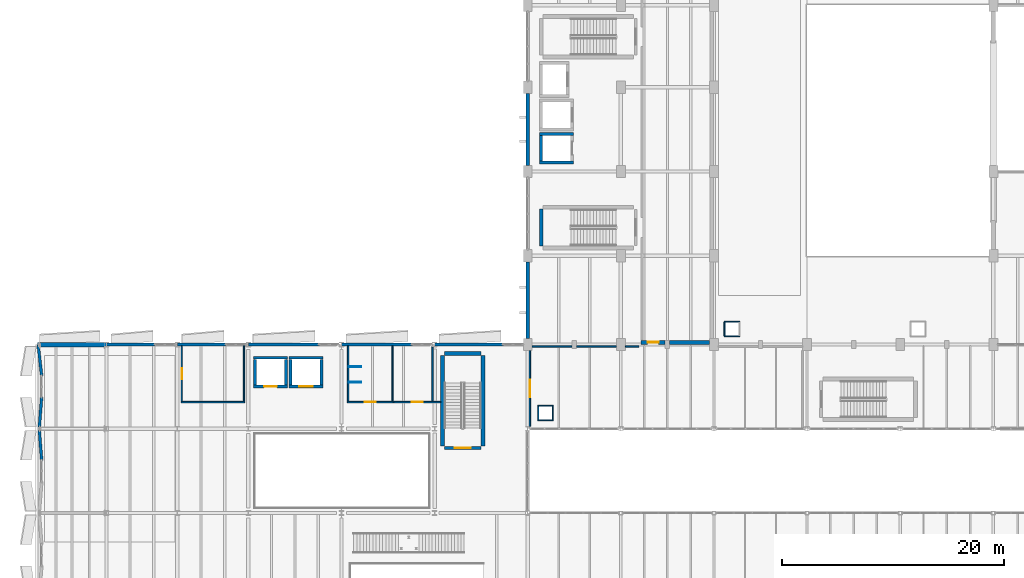
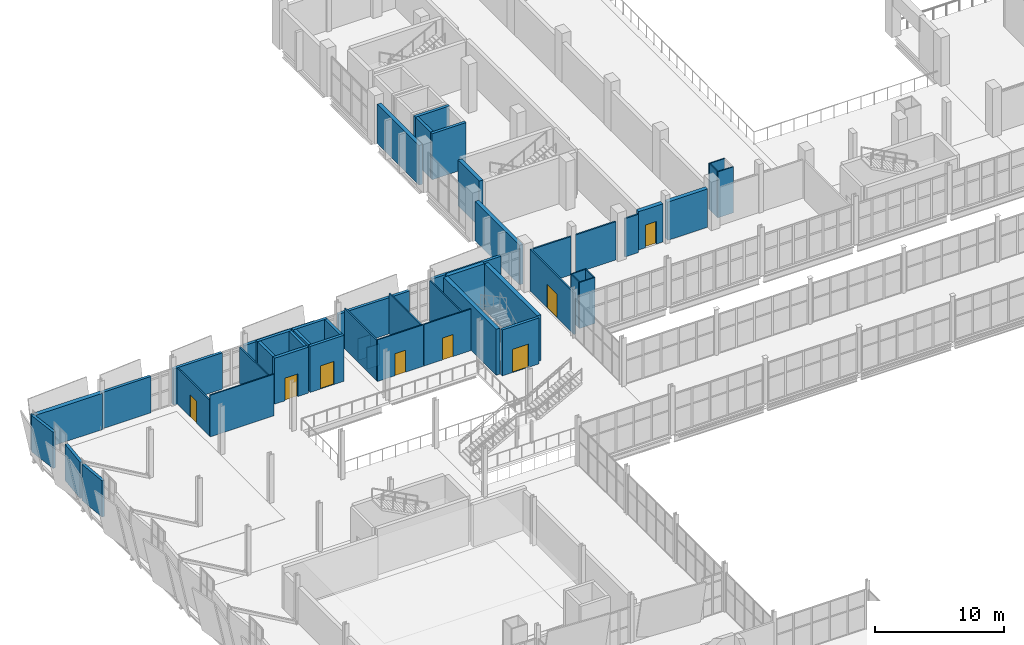
# One storey, part 153 of 172: 50 walls, 8 doors, 8 openings.
"""IFC4 building model written with IfcOpenShell, lengths in metres."""

from ifc_helpers import new_model, si_unit, direction, frame, frame_2d, origin, place, context, subcontext, project, spatial, rectangle, extrude, material, layer, layer_set, type_object, element, fill, save


model = new_model("IFC4")

# Units and contexts
model_context = context("Model", 3, precision=1e-05, world=origin(), true_north=direction((0.0, 1.0)))
body_context = subcontext(model_context, "Body", "Model", "MODEL_VIEW")
ifc_project = project(units=[si_unit("LENGTHUNIT", "METRE"), si_unit("AREAUNIT", "SQUARE_METRE"), si_unit("VOLUMEUNIT", "CUBIC_METRE"), si_unit("PLANEANGLEUNIT", "RADIAN"), si_unit("MASSUNIT", "GRAM", prefix="KILO")], contexts=[model_context])

# Site, building, storey
site_placement = place(None, origin())
site = spatial("IfcSite", under=ifc_project, at=site_placement, CompositionType="ELEMENT")
building_placement = place(site_placement, origin())
building = spatial("IfcBuilding", under=site, at=building_placement, Name="Shengluoqiao Park Theatre", CompositionType="ELEMENT")
storey_placement = place(building_placement, frame((0.0, 0.0, 5.39990234375)))
storey = spatial("IfcBuildingStorey", under=building, at=storey_placement, Name="L01", CompositionType="ELEMENT", Elevation=5.39990234375)

# Walls
ifc_material_1 = material(Name="Concrete C45", Category="concrete")
ifc_layer_1 = layer(ifc_material_1, 0.330078125, Name="Concrete C45")
ifc_layer_set_1 = layer_set([ifc_layer_1], Name="Concrete C45")
wall_type_1 = type_object("IfcWallType", Name="ENV-WL-CONC330", PredefinedType="STANDARD", material=ifc_layer_set_1)
wall_1_placement = place(storey_placement, frame((44.39990234375, 76.553955078125, 0.0), z_axis=(0.0, 0.0, 1.0), x_axis=(0.0, 1.0, 0.0)))
element("IfcWall", 1, at=wall_1_placement, inside=storey, type_object=wall_type_1, Name="L01 Exterior Wall 0024", PredefinedType="STANDARD", context=body_context, shape_type="SweptSolid", body=[
    extrude(rectangle(XDim=6.89208984375, YDim=0.330078125, at=frame_2d((3.446044921875, 0.0))), origin(), (0.0, 0.0, 1.0), 3.75),
])
wall_2_placement = place(storey_placement, frame((44.39990234375, 92.154052734375, 0.0), z_axis=(0.0, 0.0, 1.0), x_axis=(0.0, 1.0, 0.0)))
element("IfcWall", 2, at=wall_2_placement, inside=storey, type_object=wall_type_1, Name="L01 Exterior Wall 0025", PredefinedType="STANDARD", context=body_context, shape_type="SweptSolid", body=[
    extrude(rectangle(XDim=6.491943359375, YDim=0.330078125, at=frame_2d((3.24609375, 0.0))), origin(), (0.0, 0.0, 1.0), 3.75),
])
ifc_layer_2 = layer(ifc_material_1, 0.3798828125, Name="Concrete C45")
ifc_layer_set_2 = layer_set([ifc_layer_2], Name="Concrete C45")
wall_type_2 = type_object("IfcWallType", Name="ENV-WL-CONC380", PredefinedType="STANDARD", material=ifc_layer_set_2)
wall_3_placement = place(storey_placement, frame((0.179931640625, 75.97998046875, 0.0), z_axis=(0.0, 0.0, 1.0), x_axis=(1.0, 0.0, 0.0)))
element("IfcWall", 3, at=wall_3_placement, inside=storey, type_object=wall_type_2, Name="L01 Exterior Wall 0113", PredefinedType="STANDARD", context=body_context, shape_type="SweptSolid", body=[
    extrude(rectangle(XDim=6.2099609375, YDim=0.3798828125, at=frame_2d((3.10498046875, 0.0))), origin(), (0.0, 0.0, 1.0), 3.43798828125),
])
ifc_material_2 = material(Name="Precast concrete C45", Category="concrete")
ifc_layer_3 = layer(ifc_material_2, 0.25, Name="Precast concrete C45")
ifc_layer_set_3 = layer_set([ifc_layer_3], Name="Precast concrete C45")
wall_type_3 = type_object("IfcWallType", Name="ENV-WL-CRYS250", PredefinedType="STANDARD", material=ifc_layer_set_3)
for number, where, z_axis, x_axis, name in (
    (4, (6.409912109375, 76.0, 0.0), (0.0, 0.0, 1.0), (1.0, 0.0, 0.0), "L01 Exterior Wall 0114"),
    (5, (12.81005859375, 76.0, 0.0), (0.0, 0.0, 1.0), (1.0, 0.0, 0.0), "L01 Exterior Wall 0115"),
):
    element("IfcWall", number, at=place(storey_placement, frame(where, z_axis=z_axis, x_axis=x_axis)), inside=storey, type_object=wall_type_3, Name=name, PredefinedType="STANDARD", context=body_context, shape_type="SweptSolid", body=[
        extrude(rectangle(XDim=4.385986328125, YDim=0.25, at=frame_2d((2.19287109375, 0.0))), origin(), (0.0, 0.0, 1.0), 3.43798828125),
    ])
for number, where, z_axis, x_axis, name in (
    (6, (19.2099609375, 76.0, 0.0), (0.0, 0.0, 1.0), (1.0, 0.0, 0.0), "L01 Exterior Wall 0116"),
    (7, (27.610107421875, 76.0, 0.0), (0.0, 0.0, 1.0), (1.0, 0.0, 0.0), "L01 Exterior Wall 0117"),
):
    element("IfcWall", number, at=place(storey_placement, frame(where, z_axis=z_axis, x_axis=x_axis)), inside=storey, type_object=wall_type_3, Name=name, PredefinedType="STANDARD", context=body_context, shape_type="SweptSolid", body=[
        extrude(rectangle(XDim=6.385986328125, YDim=0.25, at=frame_2d((3.19287109375, 0.0))), origin(), (0.0, 0.0, 1.0), 3.43798828125),
    ])
wall_4_placement = place(storey_placement, frame((36.010009765625, 76.0, 0.0), z_axis=(0.0, 0.0, 1.0), x_axis=(1.0, 0.0, 0.0)))
element("IfcWall", 8, at=wall_4_placement, inside=storey, type_object=wall_type_3, Name="L01 Exterior Wall 0118", PredefinedType="STANDARD", context=body_context, shape_type="SweptSolid", body=[
    extrude(rectangle(XDim=6.18603515625, YDim=0.25, at=frame_2d((3.093017578125, 0.0))), origin(), (0.0, 0.0, 1.0), 3.85009765625),
])
wall_5_placement = place(storey_placement, frame((0.56005859375, 65.5400390625, 0.0), z_axis=(0.0, 0.0, 1.0), x_axis=(-0.080760513926, 0.996733534798, 0.0)))
element("IfcWall", 9, at=wall_5_placement, inside=storey, type_object=wall_type_3, Name="L01 Exterior Wall 0335", PredefinedType="STANDARD", context=body_context, shape_type="SweptSolid", body=[
    extrude(rectangle(XDim=2.7236328125, YDim=0.25, at=frame_2d((1.36181640625, 0.0))), origin(), (0.0, 0.0, 1.0), 3.43798828125),
])
wall_6_placement = place(storey_placement, frame((0.340087890625, 68.544921875, 0.0), z_axis=(0.0, 0.0, 1.0), x_axis=(0.080753299301, 0.996734119338, 0.0)))
element("IfcWall", 10, at=wall_6_placement, inside=storey, type_object=wall_type_3, Name="L01 Exterior Wall 0336", PredefinedType="STANDARD", context=body_context, shape_type="SweptSolid", body=[
    extrude(rectangle(XDim=2.723876953125, YDim=0.25, at=frame_2d((1.36181640625, 0.0))), origin(), (0.0, 0.0, 1.0), 3.43798828125),
])
wall_7_placement = place(storey_placement, frame((0.56005859375, 73.139892578125, 0.0), z_axis=(0.0, 0.0, 1.0), x_axis=(-0.111987730746, 0.993709589449, 0.0)))
element("IfcWall", 11, at=wall_7_placement, inside=storey, type_object=wall_type_3, Name="L01 Exterior Wall 0337", PredefinedType="STANDARD", context=body_context, shape_type="SweptSolid", body=[
    extrude(rectangle(XDim=2.858154296875, YDim=0.25, at=frame_2d((1.42919921875, 0.0))), origin(), (0.0, 0.0, 1.0), 3.43798828125),
])

# Wall, opening, door
ifc_material_3 = material(Name="Gypsum acoustic stud", Category="gypsum")
ifc_layer_4 = layer(ifc_material_3, 0.360107421875, Name="Gypsum acoustic stud")
ifc_layer_set_4 = layer_set([ifc_layer_4], Name="Gypsum acoustic stud")
wall_type_4 = type_object("IfcWallType", Name="INT-WL-ACO360", PredefinedType="PARTITIONING", material=ifc_layer_set_4)
wall_8_placement = place(storey_placement, frame((54.6201171875, 76.199951171875, 0.0), z_axis=(0.0, 0.0, 1.0), x_axis=(1.0, 0.0, 0.0)))
wall_8 = element("IfcWall", 12, at=wall_8_placement, inside=storey, type_object=wall_type_4, Name="First Balcony Upper Tier Partition S", PredefinedType="PARTITIONING", context=body_context, shape_type="SweptSolid", body=[
    extrude(rectangle(XDim=2.173828125, YDim=0.360107421875, at=frame_2d((1.0869140625, 0.0))), origin(), (0.0, 0.0, 1.0), 3.628173828125),
])
opening_1_placement = place(wall_8_placement, frame((0.596923828125, 0.0, 0.0)))
opening_1 = element("IfcOpeningElement", 13, at=opening_1_placement, cuts=wall_8, Name="Opening D-L01-048", PredefinedType="OPENING", context=body_context, shape_type="SweptSolid", body=[
    extrude(rectangle(XDim=0.97998046875, YDim=2.14990234375, at=frame_2d((0.489990234375, 1.074951171875))), frame((0.0, 0.18994140625, 0.0), z_axis=(0.0, -1.0, 0.0), x_axis=(1.0, 0.0, 0.0)), (0.0, 0.0, 1.0), 0.380126953125),
])
ifc_material_4 = material(Name="Timber veneer", Category="wood")
door_type_1 = type_object("IfcDoorType", Name="INT-DR-SNG098", OperationType="NOTDEFINED", PredefinedType="DOOR", material=ifc_material_4)
door_1_placement = place(opening_1_placement, origin())
door_1 = element("IfcDoor", 14, at=door_1_placement, inside=storey, type_object=door_type_1, Name="First Balcony Upper Tier Door D-L01-048", OperationType="SINGLE_SWING_RIGHT", OverallHeight=2.14990234375, OverallWidth=0.97998046875, PredefinedType="DOOR", context=body_context, shape_type="SweptSolid", body=[
    extrude(rectangle(XDim=0.97998046875, YDim=2.14990234375, at=frame_2d((0.489990234375, 1.074951171875))), frame((0.0, 0.02490234375, 0.0), z_axis=(0.0, -1.0, 0.0), x_axis=(1.0, 0.0, 0.0)), (0.0, 0.0, 1.0), 0.050048828125),
])
fill(opening_1, door_1)

# Walls
wall_9_placement = place(storey_placement, frame((57.2060546875, 76.199951171875, 0.0), z_axis=(0.0, 0.0, 1.0), x_axis=(1.0, 0.0, 0.0)))
element("IfcWall", 15, at=wall_9_placement, inside=storey, type_object=wall_type_4, Name="First Balcony Upper Tier Partition S", PredefinedType="PARTITIONING", context=body_context, shape_type="SweptSolid", body=[
    extrude(rectangle(XDim=3.5859375, YDim=0.360107421875, at=frame_2d((1.79296875, 0.0))), origin(), (0.0, 0.0, 1.0), 3.628173828125),
])
ifc_material_5 = material(Name="Compact laminate")
ifc_layer_5 = layer(ifc_material_5, 0.074951171875, Name="Compact laminate")
ifc_layer_set_5 = layer_set([ifc_layer_5], Name="Compact laminate")
wall_type_5 = type_object("IfcWallType", Name="INT-WL-CUB075", PredefinedType="PARTITIONING", material=ifc_layer_set_5)
for number, where, z_axis, x_axis, name in (
    (16, (28.27001953125, 72.60009765625, 0.0), (0.0, 0.0, 1.0), (1.0, 0.0, 0.0), "L01 WC Cubicle Partition 03"),
    (17, (28.27001953125, 74.0, 0.0), (0.0, 0.0, 1.0), (1.0, 0.0, 0.0), "L01 WC Cubicle Partition 04"),
):
    element("IfcWall", number, at=place(storey_placement, frame(where, z_axis=z_axis, x_axis=x_axis)), inside=storey, type_object=wall_type_5, Name=name, PredefinedType="PARTITIONING", context=body_context, shape_type="SweptSolid", body=[
        extrude(rectangle(XDim=1.10009765625, YDim=0.074951171875, at=frame_2d((0.550048828125, 0.0))), origin(), (0.0, 0.0, 1.0), 2.050048828125),
    ])
ifc_material_6 = material(Name="Gypsum shaftwall", Category="gypsum")
ifc_layer_6 = layer(ifc_material_6, 0.094970703125, Name="Gypsum shaftwall")
ifc_layer_set_6 = layer_set([ifc_layer_6], Name="Gypsum shaftwall")
wall_type_6 = type_object("IfcWallType", Name="INT-WL-RSR095", PredefinedType="PARTITIONING", material=ifc_layer_set_6)
for number, where, z_axis, x_axis, name in (
    (18, (62.10498046875, 76.75, 0.0), (0.0, 0.0, 1.0), (1.0, 0.0, 0.0), "L01 Service Riser Shaftwall 053"),
    (19, (62.10498046875, 78.070068359375, 0.0), (0.0, 0.0, 1.0), (1.0, 0.0, 0.0), "L01 Service Riser Shaftwall 054"),
):
    element("IfcWall", number, at=place(storey_placement, frame(where, z_axis=z_axis, x_axis=x_axis)), inside=storey, type_object=wall_type_6, Name=name, PredefinedType="PARTITIONING", context=body_context, shape_type="SweptSolid", body=[
        extrude(rectangle(XDim=1.409912109375, YDim=0.094970703125, at=frame_2d((0.705078125, 0.0))), origin(), (0.0, 0.0, 1.0), 4.360107421875),
    ])
wall_10_placement = place(storey_placement, frame((62.14990234375, 76.804931640625, 0.0), z_axis=(0.0, 0.0, 1.0), x_axis=(0.0, 1.0, 0.0)))
element("IfcWall", 20, at=wall_10_placement, inside=storey, type_object=wall_type_6, Name="L01 Service Riser Shaftwall 055", PredefinedType="PARTITIONING", context=body_context, shape_type="SweptSolid", body=[
    extrude(rectangle(XDim=1.2099609375, YDim=0.094970703125, at=frame_2d((0.60498046875, 0.0))), origin(), (0.0, 0.0, 1.0), 4.360107421875),
])
for number, where, z_axis, x_axis, name in (
    (21, (45.304931640625, 69.14990234375, 0.0), (0.0, 0.0, 1.0), (1.0, 0.0, 0.0), "L01 Service Riser Shaftwall 081"),
    (22, (45.304931640625, 70.469970703125, 0.0), (0.0, 0.0, 1.0), (1.0, 0.0, 0.0), "L01 Service Riser Shaftwall 082"),
):
    element("IfcWall", number, at=place(storey_placement, frame(where, z_axis=z_axis, x_axis=x_axis)), inside=storey, type_object=wall_type_6, Name=name, PredefinedType="PARTITIONING", context=body_context, shape_type="SweptSolid", body=[
        extrude(rectangle(XDim=1.41015625, YDim=0.094970703125, at=frame_2d((0.705078125, 0.0))), origin(), (0.0, 0.0, 1.0), 4.360107421875),
    ])
for number, where, z_axis, x_axis, name in (
    (23, (45.35009765625, 69.205078125, 0.0), (0.0, 0.0, 1.0), (0.0, 1.0, 0.0), "L01 Service Riser Shaftwall 083"),
    (24, (46.669921875, 69.205078125, 0.0), (0.0, 0.0, 1.0), (0.0, 1.0, 0.0), "L01 Service Riser Shaftwall 084"),
):
    element("IfcWall", number, at=place(storey_placement, frame(where, z_axis=z_axis, x_axis=x_axis)), inside=storey, type_object=wall_type_6, Name=name, PredefinedType="PARTITIONING", context=body_context, shape_type="SweptSolid", body=[
        extrude(rectangle(XDim=1.2099609375, YDim=0.094970703125, at=frame_2d((0.60498046875, 0.0))), origin(), (0.0, 0.0, 1.0), 4.360107421875),
    ])

# Wall, opening, door
ifc_material_7 = material(Name="Concrete C40", Category="concrete")
ifc_layer_7 = layer(ifc_material_7, 0.260009765625, Name="Concrete C40")
ifc_layer_set_7 = layer_set([ifc_layer_7], Name="Concrete C40")
wall_type_7 = type_object("IfcWallType", Name="INT-WL-SHF260", PredefinedType="STANDARD", material=ifc_layer_set_7)
wall_11_placement = place(storey_placement, frame((19.669921875, 72.199951171875, 0.0), z_axis=(0.0, 0.0, 1.0), x_axis=(1.0, 0.0, 0.0)))
wall_11 = element("IfcWall", 25, at=wall_11_placement, inside=storey, type_object=wall_type_7, Name="L01 PL1 Lift Shaft Wall South", PredefinedType="STANDARD", context=body_context, shape_type="SweptSolid", body=[
    extrude(rectangle(XDim=3.06005859375, YDim=0.260009765625, at=frame_2d((1.530029296875, 0.0))), origin(), (0.0, 0.0, 1.0), 4.360107421875),
])
opening_2_placement = place(wall_11_placement, frame((0.955078125, 0.0, 0.0)))
opening_2 = element("IfcOpeningElement", 26, at=opening_2_placement, cuts=wall_11, Name="Opening LD-PL1-L01", PredefinedType="OPENING", context=body_context, shape_type="SweptSolid", body=[
    extrude(rectangle(XDim=1.14990234375, YDim=2.14990234375, at=frame_2d((0.574951171875, 1.074951171875))), frame((0.0, 0.139892578125, 0.0), z_axis=(0.0, -1.0, 0.0), x_axis=(1.0, 0.0, 0.0)), (0.0, 0.0, 1.0), 0.280029296875),
])
ifc_material_8 = material(Name="Stainless steel 304", Category="steel")
door_type_2 = type_object("IfcDoorType", Name="INT-DR-LD115", OperationType="SLIDING_TO_LEFT", PredefinedType="DOOR", material=ifc_material_8)
door_2_placement = place(opening_2_placement, origin())
door_2 = element("IfcDoor", 27, at=door_2_placement, inside=storey, type_object=door_type_2, Name="PL1 Lift Landing Door LD-PL1-L01", OperationType="SLIDING_TO_LEFT", OverallHeight=2.14990234375, OverallWidth=1.14990234375, PredefinedType="DOOR", context=body_context, shape_type="SweptSolid", body=[
    extrude(rectangle(XDim=1.14990234375, YDim=2.14990234375, at=frame_2d((0.574951171875, 1.074951171875))), frame((0.0, 0.02490234375, 0.0), z_axis=(0.0, -1.0, 0.0), x_axis=(1.0, 0.0, 0.0)), (0.0, 0.0, 1.0), 0.050048828125),
])
fill(opening_2, door_2)

# Walls
wall_12_placement = place(storey_placement, frame((19.669921875, 74.800048828125, 0.0), z_axis=(0.0, 0.0, 1.0), x_axis=(1.0, 0.0, 0.0)))
element("IfcWall", 28, at=wall_12_placement, inside=storey, type_object=wall_type_7, Name="L01 PL1 Lift Shaft Wall North", PredefinedType="STANDARD", context=body_context, shape_type="SweptSolid", body=[
    extrude(rectangle(XDim=3.06005859375, YDim=0.260009765625, at=frame_2d((1.530029296875, 0.0))), origin(), (0.0, 0.0, 1.0), 4.360107421875),
])
for number, where, z_axis, x_axis, name in (
    (29, (19.800048828125, 72.3359375, 0.0), (0.0, 0.0, 1.0), (0.0, 1.0, 0.0), "L01 PL1 Lift Shaft Wall West"),
    (30, (22.60009765625, 72.3359375, 0.0), (0.0, 0.0, 1.0), (0.0, 1.0, 0.0), "L01 PL1 Lift Shaft Wall East"),
):
    element("IfcWall", number, at=place(storey_placement, frame(where, z_axis=z_axis, x_axis=x_axis)), inside=storey, type_object=wall_type_7, Name=name, PredefinedType="STANDARD", context=body_context, shape_type="SweptSolid", body=[
        extrude(rectangle(XDim=2.328125, YDim=0.260009765625, at=frame_2d((1.1640625, 0.0))), origin(), (0.0, 0.0, 1.0), 4.360107421875),
    ])

# Wall, opening, door
wall_13_placement = place(storey_placement, frame((22.8701171875, 72.199951171875, 0.0), z_axis=(0.0, 0.0, 1.0), x_axis=(1.0, 0.0, 0.0)))
wall_13 = element("IfcWall", 31, at=wall_13_placement, inside=storey, type_object=wall_type_7, Name="L01 PL2 Lift Shaft Wall South", PredefinedType="STANDARD", context=body_context, shape_type="SweptSolid", body=[
    extrude(rectangle(XDim=3.059814453125, YDim=0.260009765625, at=frame_2d((1.52978515625, 0.0))), origin(), (0.0, 0.0, 1.0), 4.360107421875),
])
opening_3_placement = place(wall_13_placement, frame((0.919921875, 0.0, 0.0)))
opening_3 = element("IfcOpeningElement", 32, at=opening_3_placement, cuts=wall_13, Name="Opening LD-PL2-L01", PredefinedType="OPENING", context=body_context, shape_type="SweptSolid", body=[
    extrude(rectangle(XDim=1.219970703125, YDim=2.199951171875, at=frame_2d((0.60986328125, 1.10009765625))), frame((0.0, 0.139892578125, 0.0), z_axis=(0.0, -1.0, 0.0), x_axis=(1.0, 0.0, 0.0)), (0.0, 0.0, 1.0), 0.280029296875),
])
door_type_3 = type_object("IfcDoorType", Name="INT-DR-LD122", OperationType="SLIDING_TO_RIGHT", PredefinedType="DOOR", material=ifc_material_8)
door_3_placement = place(opening_3_placement, origin())
door_3 = element("IfcDoor", 33, at=door_3_placement, inside=storey, type_object=door_type_3, Name="PL2 Lift Landing Door LD-PL2-L01", OperationType="SLIDING_TO_RIGHT", OverallHeight=2.199951171875, OverallWidth=1.219970703125, PredefinedType="DOOR", context=body_context, shape_type="SweptSolid", body=[
    extrude(rectangle(XDim=1.219970703125, YDim=2.199951171875, at=frame_2d((0.60986328125, 1.10009765625))), frame((0.0, 0.02490234375, 0.0), z_axis=(0.0, -1.0, 0.0), x_axis=(1.0, 0.0, 0.0)), (0.0, 0.0, 1.0), 0.050048828125),
])
fill(opening_3, door_3)

# Walls
wall_14_placement = place(storey_placement, frame((22.8701171875, 74.800048828125, 0.0), z_axis=(0.0, 0.0, 1.0), x_axis=(1.0, 0.0, 0.0)))
element("IfcWall", 34, at=wall_14_placement, inside=storey, type_object=wall_type_7, Name="L01 PL2 Lift Shaft Wall North", PredefinedType="STANDARD", context=body_context, shape_type="SweptSolid", body=[
    extrude(rectangle(XDim=3.059814453125, YDim=0.260009765625, at=frame_2d((1.52978515625, 0.0))), origin(), (0.0, 0.0, 1.0), 4.360107421875),
])
for number, where, z_axis, x_axis, name in (
    (35, (23.0, 72.3359375, 0.0), (0.0, 0.0, 1.0), (0.0, 1.0, 0.0), "L01 PL2 Lift Shaft Wall West"),
    (36, (25.800048828125, 72.3359375, 0.0), (0.0, 0.0, 1.0), (0.0, 1.0, 0.0), "L01 PL2 Lift Shaft Wall East"),
):
    element("IfcWall", number, at=place(storey_placement, frame(where, z_axis=z_axis, x_axis=x_axis)), inside=storey, type_object=wall_type_7, Name=name, PredefinedType="STANDARD", context=body_context, shape_type="SweptSolid", body=[
        extrude(rectangle(XDim=2.328125, YDim=0.260009765625, at=frame_2d((1.1640625, 0.0))), origin(), (0.0, 0.0, 1.0), 4.360107421875),
    ])
for number, where, z_axis, x_axis, name in (
    (37, (45.469970703125, 92.39990234375, 0.0), (0.0, 0.0, 1.0), (1.0, 0.0, 0.0), "L01 PL3 Lift Shaft Wall South"),
    (38, (45.469970703125, 95.0, 0.0), (0.0, 0.0, 1.0), (1.0, 0.0, 0.0), "L01 PL3 Lift Shaft Wall North"),
):
    element("IfcWall", number, at=place(storey_placement, frame(where, z_axis=z_axis, x_axis=x_axis)), inside=storey, type_object=wall_type_7, Name=name, PredefinedType="STANDARD", context=body_context, shape_type="SweptSolid", body=[
        extrude(rectangle(XDim=3.06005859375, YDim=0.260009765625, at=frame_2d((1.530029296875, 0.0))), origin(), (0.0, 0.0, 1.0), 4.360107421875),
    ])
wall_15_placement = place(storey_placement, frame((45.60009765625, 92.535888671875, 0.0), z_axis=(0.0, 0.0, 1.0), x_axis=(0.0, 1.0, 0.0)))
element("IfcWall", 39, at=wall_15_placement, inside=storey, type_object=wall_type_7, Name="L01 PL3 Lift Shaft Wall West", PredefinedType="STANDARD", context=body_context, shape_type="SweptSolid", body=[
    extrude(rectangle(XDim=2.328125, YDim=0.260009765625, at=frame_2d((1.1640625, 0.0))), origin(), (0.0, 0.0, 1.0), 4.360107421875),
])
ifc_material_9 = material(Name="Gypsum board", Category="gypsum")
ifc_layer_8 = layer(ifc_material_9, 0.135009765625, Name="Gypsum board")
ifc_layer_set_8 = layer_set([ifc_layer_8], Name="Gypsum board")
wall_type_8 = type_object("IfcWallType", Name="INT-WL-STD135", PredefinedType="PARTITIONING", material=ifc_layer_set_8)
wall_16_placement = place(storey_placement, frame((44.80810546875, 75.800048828125, 0.0), z_axis=(0.0, 0.0, 1.0), x_axis=(1.0, 0.0, 0.0)))
element("IfcWall", 40, at=wall_16_placement, inside=storey, type_object=wall_type_8, Name="South Park Balcony Bar Partition N", PredefinedType="PARTITIONING", context=body_context, shape_type="SweptSolid", body=[
    extrude(rectangle(XDim=3.5859375, YDim=0.135009765625, at=frame_2d((1.79296875, 0.0))), origin(), (0.0, 0.0, 1.0), 3.63818359375),
])
wall_17_placement = place(storey_placement, frame((48.805908203125, 75.800048828125, 0.0), z_axis=(0.0, 0.0, 1.0), x_axis=(1.0, 0.0, 0.0)))
element("IfcWall", 41, at=wall_17_placement, inside=storey, type_object=wall_type_8, Name="South Park Balcony Bar Partition N", PredefinedType="PARTITIONING", context=body_context, shape_type="SweptSolid", body=[
    extrude(rectangle(XDim=3.588134765625, YDim=0.135009765625, at=frame_2d((1.7939453125, 0.0))), origin(), (0.0, 0.0, 1.0), 3.63818359375),
])
wall_18_placement = place(storey_placement, frame((53.2060546875, 75.800048828125, 0.0), z_axis=(0.0, 0.0, 1.0), x_axis=(1.0, 0.0, 0.0)))
element("IfcWall", 42, at=wall_18_placement, inside=storey, type_object=wall_type_8, Name="South Park Balcony Bar Partition N", PredefinedType="PARTITIONING", context=body_context, shape_type="SweptSolid", body=[
    extrude(rectangle(XDim=1.2138671875, YDim=0.135009765625, at=frame_2d((0.60693359375, 0.0))), origin(), (0.0, 0.0, 1.0), 3.628173828125),
])

# Wall, opening, door
wall_19_placement = place(storey_placement, frame((44.60009765625, 68.60791015625, 0.0), z_axis=(0.0, 0.0, 1.0), x_axis=(0.0, 1.0, 0.0)))
wall_19 = element("IfcWall", 43, at=wall_19_placement, inside=storey, type_object=wall_type_8, Name="South Park Balcony Bar Partition W", PredefinedType="PARTITIONING", context=body_context, shape_type="SweptSolid", body=[
    extrude(rectangle(XDim=6.836181640625, YDim=0.135009765625, at=frame_2d((3.41796875, 0.0))), origin(), (0.0, 0.0, 1.0), 3.947998046875),
])
opening_4_placement = place(wall_19_placement, frame((2.637939453125, 0.0, 0.0)))
opening_4 = element("IfcOpeningElement", 44, at=opening_4_placement, cuts=wall_19, Name="Opening D-L01-051", PredefinedType="OPENING", context=body_context, shape_type="SweptSolid", body=[
    extrude(rectangle(XDim=1.56005859375, YDim=2.239990234375, at=frame_2d((0.780029296875, 1.1201171875))), frame((0.0, 0.077392578125, 0.0), z_axis=(0.0, -1.0, 0.0), x_axis=(1.0, 0.0, 0.0)), (0.0, 0.0, 1.0), 0.155029296875),
])
ifc_material_10 = material(Name="Aluminium 6063-T6", Category="aluminium")
door_type_4 = type_object("IfcDoorType", Name="INT-DR-DIN156", OperationType="DOUBLE_DOOR_SINGLE_SWING", PredefinedType="DOOR", material=ifc_material_10)
door_4_placement = place(opening_4_placement, origin())
door_4 = element("IfcDoor", 45, at=door_4_placement, inside=storey, type_object=door_type_4, Name="South Park Balcony Bar Door D-L01-051", OperationType="DOUBLE_DOOR_SINGLE_SWING", OverallHeight=2.239990234375, OverallWidth=1.56005859375, PredefinedType="DOOR", context=body_context, shape_type="SweptSolid", body=[
    extrude(rectangle(XDim=1.56005859375, YDim=2.239990234375, at=frame_2d((0.780029296875, 1.1201171875))), frame((0.0, 0.02490234375, 0.0), z_axis=(0.0, -1.0, 0.0), x_axis=(1.0, 0.0, 0.0)), (0.0, 0.0, 1.0), 0.050048828125),
])
fill(opening_4, door_4)

ifc_layer_9 = layer(ifc_material_7, 0.239990234375, Name="Concrete C40")
ifc_layer_set_9 = layer_set([ifc_layer_9], Name="Concrete C40")
wall_type_9 = type_object("IfcWallType", Name="INT-WL-STW240", PredefinedType="STANDARD", material=ifc_layer_set_9)
wall_20_placement = place(storey_placement, frame((40.18994140625, 66.659912109375, 0.0), z_axis=(0.0, 0.0, 1.0), x_axis=(-1.0, 0.0, 0.0)))
wall_20 = element("IfcWall", 46, at=wall_20_placement, inside=storey, type_object=wall_type_9, Name="L01 ST-01 Stairwell Fire Wall", PredefinedType="STANDARD", context=body_context, shape_type="SweptSolid", body=[
    extrude(rectangle(XDim=3.280029296875, YDim=0.239990234375, at=frame_2d((1.64013671875, 0.0))), origin(), (0.0, 0.0, 1.0), 4.360107421875),
])
opening_5_placement = place(wall_20_placement, frame((0.9150390625, 0.0, 0.0)))
opening_5 = element("IfcOpeningElement", 47, at=opening_5_placement, cuts=wall_20, Name="Opening SD-01-L01", PredefinedType="OPENING", context=body_context, shape_type="SweptSolid", body=[
    extrude(rectangle(XDim=1.449951171875, YDim=2.199951171875, at=frame_2d((0.72509765625, 1.10009765625))), frame((0.0, 0.1298828125, 0.0), z_axis=(0.0, -1.0, 0.0), x_axis=(1.0, 0.0, 0.0)), (0.0, 0.0, 1.0), 0.260009765625),
])
ifc_material_11 = material(Name="Steel Q355", Category="steel")
door_type_5 = type_object("IfcDoorType", Name="INT-DR-STW145", OperationType="DOUBLE_DOOR_SINGLE_SWING", PredefinedType="DOOR", material=ifc_material_11)
door_5_placement = place(opening_5_placement, origin())
door_5 = element("IfcDoor", 48, at=door_5_placement, inside=storey, type_object=door_type_5, Name="L01 ST-01 Escape Stair Door SD-01-L01", OperationType="DOUBLE_DOOR_SINGLE_SWING", OverallHeight=2.199951171875, OverallWidth=1.449951171875, PredefinedType="DOOR", context=body_context, shape_type="SweptSolid", body=[
    extrude(rectangle(XDim=1.449951171875, YDim=2.199951171875, at=frame_2d((0.72509765625, 1.10009765625))), frame((0.0, 0.02490234375, 0.0), z_axis=(0.0, -1.0, 0.0), x_axis=(1.0, 0.0, 0.0)), (0.0, 0.0, 1.0), 0.050048828125),
])
fill(opening_5, door_5)

# Wall
ifc_material_12 = material(Name="Moisture-resistant board")
ifc_layer_10 = layer(ifc_material_12, 0.114990234375, Name="Moisture-resistant board")
ifc_layer_set_10 = layer_set([ifc_layer_10], Name="Moisture-resistant board")
wall_type_10 = type_object("IfcWallType", Name="INT-WL-WCP115", PredefinedType="PARTITIONING", material=ifc_layer_set_10)
wall_21_placement = place(storey_placement, frame((13.142578125, 70.800048828125, 0.0), z_axis=(0.0, 0.0, 1.0), x_axis=(1.0, 0.0, 0.0)))
element("IfcWall", 49, at=wall_21_placement, inside=storey, type_object=wall_type_10, Name="First Balcony Public Female WC Partition S", PredefinedType="PARTITIONING", context=body_context, shape_type="SweptSolid", body=[
    extrude(rectangle(XDim=5.71484375, YDim=0.114990234375, at=frame_2d((2.857421875, 0.0))), origin(), (0.0, 0.0, 1.0), 3.93798828125),
])

# Wall, opening, door
wall_22_placement = place(storey_placement, frame((13.199951171875, 70.863525390625, 0.0), z_axis=(0.0, 0.0, 1.0), x_axis=(0.0, 1.0, 0.0)))
wall_22 = element("IfcWall", 50, at=wall_22_placement, inside=storey, type_object=wall_type_10, Name="First Balcony Public Female WC Partition W", PredefinedType="PARTITIONING", context=body_context, shape_type="SweptSolid", body=[
    extrude(rectangle(XDim=5.00341796875, YDim=0.114990234375, at=frame_2d((2.501708984375, 0.0))), origin(), (0.0, 0.0, 1.0), 3.43798828125),
])
opening_6_placement = place(wall_22_placement, frame((2.021728515625, 0.0, 0.0)))
opening_6 = element("IfcOpeningElement", 51, at=opening_6_placement, cuts=wall_22, Name="Opening D-L01-035", PredefinedType="OPENING", context=body_context, shape_type="SweptSolid", body=[
    extrude(rectangle(XDim=0.9599609375, YDim=2.080078125, at=frame_2d((0.47998046875, 1.0400390625))), frame((0.0, 0.0673828125, 0.0), z_axis=(0.0, -1.0, 0.0), x_axis=(1.0, 0.0, 0.0)), (0.0, 0.0, 1.0), 0.135009765625),
])
ifc_material_13 = material(Name="Moisture-resistant laminate")
door_type_6 = type_object("IfcDoorType", Name="INT-DR-ACC096", OperationType="NOTDEFINED", PredefinedType="DOOR", material=ifc_material_13)
door_6_placement = place(opening_6_placement, origin())
door_6 = element("IfcDoor", 52, at=door_6_placement, inside=storey, type_object=door_type_6, Name="First Balcony Public Female WC Door D-L01-035", OperationType="SINGLE_SWING_LEFT", OverallHeight=2.080078125, OverallWidth=0.9599609375, PredefinedType="DOOR", context=body_context, shape_type="SweptSolid", body=[
    extrude(rectangle(XDim=0.9599609375, YDim=2.080078125, at=frame_2d((0.47998046875, 1.0400390625))), frame((0.0, 0.02490234375, 0.0), z_axis=(0.0, -1.0, 0.0), x_axis=(1.0, 0.0, 0.0)), (0.0, 0.0, 1.0), 0.050048828125),
])
fill(opening_6, door_6)

# Wall
wall_23_placement = place(storey_placement, frame((18.800048828125, 70.863525390625, 0.0), z_axis=(0.0, 0.0, 1.0), x_axis=(0.0, 1.0, 0.0)))
element("IfcWall", 53, at=wall_23_placement, inside=storey, type_object=wall_type_10, Name="First Balcony Public Female WC Partition E", PredefinedType="PARTITIONING", context=body_context, shape_type="SweptSolid", body=[
    extrude(rectangle(XDim=5.028564453125, YDim=0.114990234375, at=frame_2d((2.51416015625, 0.0))), origin(), (0.0, 0.0, 1.0), 3.43798828125),
])

# Wall, opening, door
wall_24_placement = place(storey_placement, frame((28.142578125, 70.800048828125, 0.0), z_axis=(0.0, 0.0, 1.0), x_axis=(1.0, 0.0, 0.0)))
wall_24 = element("IfcWall", 54, at=wall_24_placement, inside=storey, type_object=wall_type_10, Name="First Balcony Public Male WC Partition S", PredefinedType="PARTITIONING", context=body_context, shape_type="SweptSolid", body=[
    extrude(rectangle(XDim=4.114990234375, YDim=0.114990234375, at=frame_2d((2.0576171875, 0.0))), origin(), (0.0, 0.0, 1.0), 3.93798828125),
])
opening_7_placement = place(wall_24_placement, frame((1.577392578125, 0.0, 0.0)))
opening_7 = element("IfcOpeningElement", 55, at=opening_7_placement, cuts=wall_24, Name="Opening D-L01-036", PredefinedType="OPENING", context=body_context, shape_type="SweptSolid", body=[
    extrude(rectangle(XDim=0.9599609375, YDim=2.080078125, at=frame_2d((0.47998046875, 1.0400390625))), frame((0.0, 0.0673828125, 0.0), z_axis=(0.0, -1.0, 0.0), x_axis=(1.0, 0.0, 0.0)), (0.0, 0.0, 1.0), 0.135009765625),
])
door_7_placement = place(opening_7_placement, origin())
door_7 = element("IfcDoor", 56, at=door_7_placement, inside=storey, type_object=door_type_6, Name="First Balcony Public Male WC Door D-L01-036", OperationType="SINGLE_SWING_RIGHT", OverallHeight=2.080078125, OverallWidth=0.9599609375, PredefinedType="DOOR", context=body_context, shape_type="SweptSolid", body=[
    extrude(rectangle(XDim=0.9599609375, YDim=2.080078125, at=frame_2d((0.47998046875, 1.0400390625))), frame((0.0, 0.02490234375, 0.0), z_axis=(0.0, -1.0, 0.0), x_axis=(1.0, 0.0, 0.0)), (0.0, 0.0, 1.0), 0.050048828125),
])
fill(opening_7, door_7)

# Walls
for number, where, z_axis, x_axis, name in (
    (57, (28.199951171875, 70.863525390625, 0.0), (0.0, 0.0, 1.0), (0.0, 1.0, 0.0), "First Balcony Public Male WC Partition W"),
    (58, (32.199951171875, 70.863525390625, 0.0), (0.0, 0.0, 1.0), (0.0, 1.0, 0.0), "First Balcony Public Male WC Partition E"),
):
    element("IfcWall", number, at=place(storey_placement, frame(where, z_axis=z_axis, x_axis=x_axis)), inside=storey, type_object=wall_type_10, Name=name, PredefinedType="PARTITIONING", context=body_context, shape_type="SweptSolid", body=[
        extrude(rectangle(XDim=5.00341796875, YDim=0.114990234375, at=frame_2d((2.501708984375, 0.0))), origin(), (0.0, 0.0, 1.0), 3.85009765625),
    ])

# Wall, opening, door
wall_25_placement = place(storey_placement, frame((32.3349609375, 70.800048828125, 0.0), z_axis=(0.0, 0.0, 1.0), x_axis=(1.0, 0.0, 0.0)))
wall_25 = element("IfcWall", 59, at=wall_25_placement, inside=storey, type_object=wall_type_10, Name="First Balcony Accessible WC Partition S", PredefinedType="PARTITIONING", context=body_context, shape_type="SweptSolid", body=[
    extrude(rectangle(XDim=4.2021484375, YDim=0.114990234375, at=frame_2d((2.10107421875, 0.0))), origin(), (0.0, 0.0, 1.0), 3.93798828125),
])
opening_8_placement = place(wall_25_placement, frame((1.62109375, 0.0, 0.0)))
opening_8 = element("IfcOpeningElement", 60, at=opening_8_placement, cuts=wall_25, Name="Opening D-L01-037", PredefinedType="OPENING", context=body_context, shape_type="SweptSolid", body=[
    extrude(rectangle(XDim=0.9599609375, YDim=2.080078125, at=frame_2d((0.47998046875, 1.0400390625))), frame((0.0, 0.0673828125, 0.0), z_axis=(0.0, -1.0, 0.0), x_axis=(1.0, 0.0, 0.0)), (0.0, 0.0, 1.0), 0.135009765625),
])
door_8_placement = place(opening_8_placement, origin())
door_8 = element("IfcDoor", 61, at=door_8_placement, inside=storey, type_object=door_type_6, Name="First Balcony Accessible WC Door D-L01-037", OperationType="SINGLE_SWING_LEFT", OverallHeight=2.080078125, OverallWidth=0.9599609375, PredefinedType="DOOR", context=body_context, shape_type="SweptSolid", body=[
    extrude(rectangle(XDim=0.9599609375, YDim=2.080078125, at=frame_2d((0.47998046875, 1.0400390625))), frame((0.0, 0.02490234375, 0.0), z_axis=(0.0, -1.0, 0.0), x_axis=(1.0, 0.0, 0.0)), (0.0, 0.0, 1.0), 0.050048828125),
])
fill(opening_8, door_8)

# Walls
wall_26_placement = place(storey_placement, frame((35.800048828125, 70.863525390625, 0.0), z_axis=(0.0, 0.0, 1.0), x_axis=(0.0, 1.0, 0.0)))
element("IfcWall", 62, at=wall_26_placement, inside=storey, type_object=wall_type_10, Name="First Balcony Accessible WC Partition E", PredefinedType="PARTITIONING", context=body_context, shape_type="SweptSolid", body=[
    extrude(rectangle(XDim=4.928466796875, YDim=0.114990234375, at=frame_2d((2.46435546875, 0.0))), origin(), (0.0, 0.0, 1.0), 3.85009765625),
])
ifc_material_14 = material(Name="Concrete C50", Category="concrete")
ifc_layer_11 = layer(ifc_material_14, 0.35009765625, Name="Concrete C50")
ifc_layer_set_11 = layer_set([ifc_layer_11], Name="Concrete C50")
wall_type_11 = type_object("IfcWallType", Name="STR-SW-CORE350", PredefinedType="SHEAR", material=ifc_layer_set_11)
wall_27_placement = place(storey_placement, frame((40.3798828125, 66.85009765625, 0.0), z_axis=(0.0, 0.0, 1.0), x_axis=(0.0, 1.0, 0.0)))
element("IfcWall", 63, at=wall_27_placement, inside=storey, type_object=wall_type_11, Name="L01 ST-01 Core Left Shear Wall 0028", PredefinedType="SHEAR", context=body_context, shape_type="SweptSolid", body=[
    extrude(rectangle(XDim=8.14990234375, YDim=0.35009765625, at=frame_2d((4.074951171875, 0.0))), origin(), (0.0, 0.0, 1.0), 4.360107421875),
])
wall_28_placement = place(storey_placement, frame((40.199951171875, 75.179931640625, 0.0), z_axis=(0.0, 0.0, 1.0), x_axis=(-1.0, 0.0, 0.0)))
element("IfcWall", 64, at=wall_28_placement, inside=storey, type_object=wall_type_11, Name="L01 ST-01 Core Far Shear Wall 0029", PredefinedType="SHEAR", context=body_context, shape_type="SweptSolid", body=[
    extrude(rectangle(XDim=3.300048828125, YDim=0.35009765625, at=frame_2d((1.64990234375, 0.0))), origin(), (0.0, 0.0, 1.0), 4.360107421875),
])
wall_29_placement = place(storey_placement, frame((36.719970703125, 75.0, 0.0), z_axis=(0.0, 0.0, 1.0), x_axis=(0.0, -1.0, 0.0)))
element("IfcWall", 65, at=wall_29_placement, inside=storey, type_object=wall_type_11, Name="L01 ST-01 Core Right Shear Wall 0030", PredefinedType="SHEAR", context=body_context, shape_type="SweptSolid", body=[
    extrude(rectangle(XDim=8.14990234375, YDim=0.35009765625, at=frame_2d((4.074951171875, 0.0))), origin(), (0.0, 0.0, 1.0), 4.360107421875),
])
wall_30_placement = place(storey_placement, frame((45.6201171875, 88.199951171875, 0.0), z_axis=(0.0, 0.0, 1.0), x_axis=(0.0, -1.0, 0.0)))
element("IfcWall", 66, at=wall_30_placement, inside=storey, type_object=wall_type_11, Name="L01 ST-02 Core Far Shear Wall 0044", PredefinedType="SHEAR", context=body_context, shape_type="SweptSolid", body=[
    extrude(rectangle(XDim=3.300048828125, YDim=0.35009765625, at=frame_2d((1.64990234375, 0.0))), origin(), (0.0, 0.0, 1.0), 4.360107421875),
])

save(model, "model.ifc")
